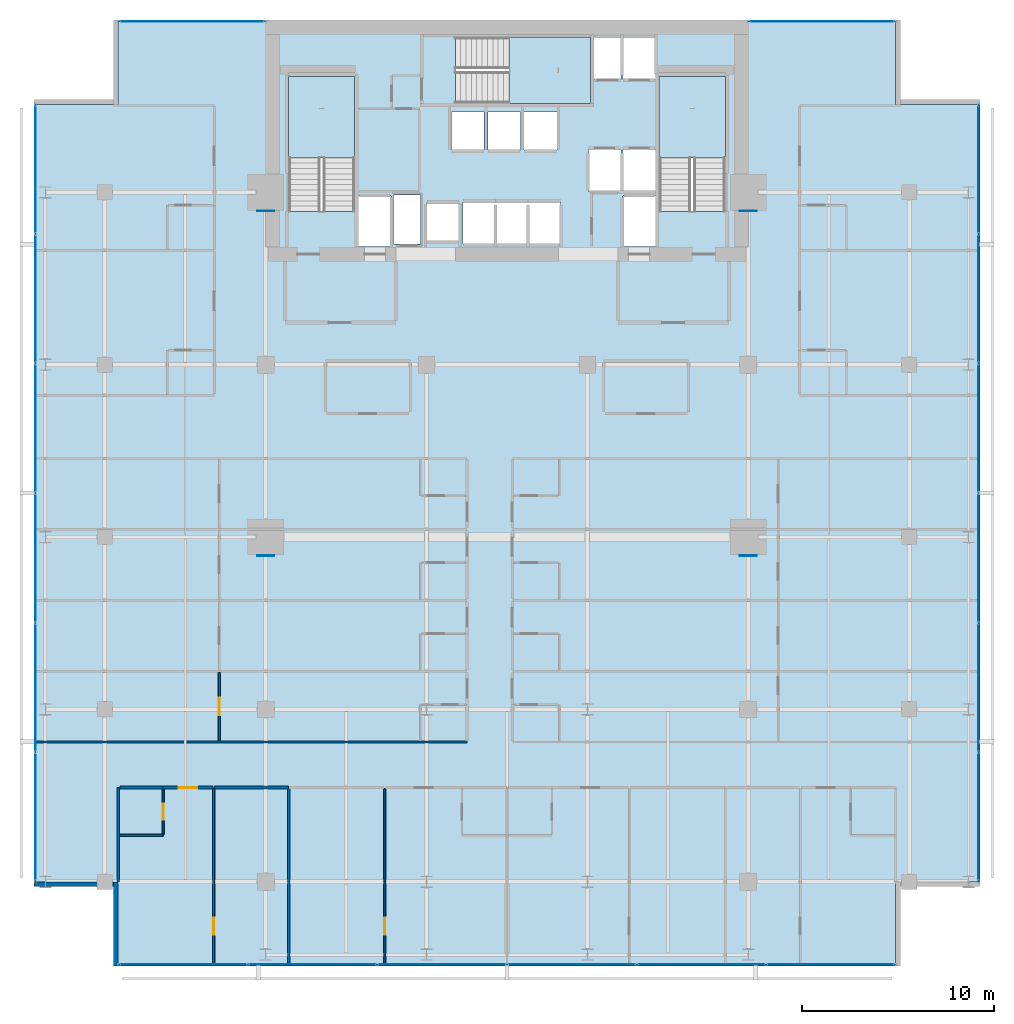
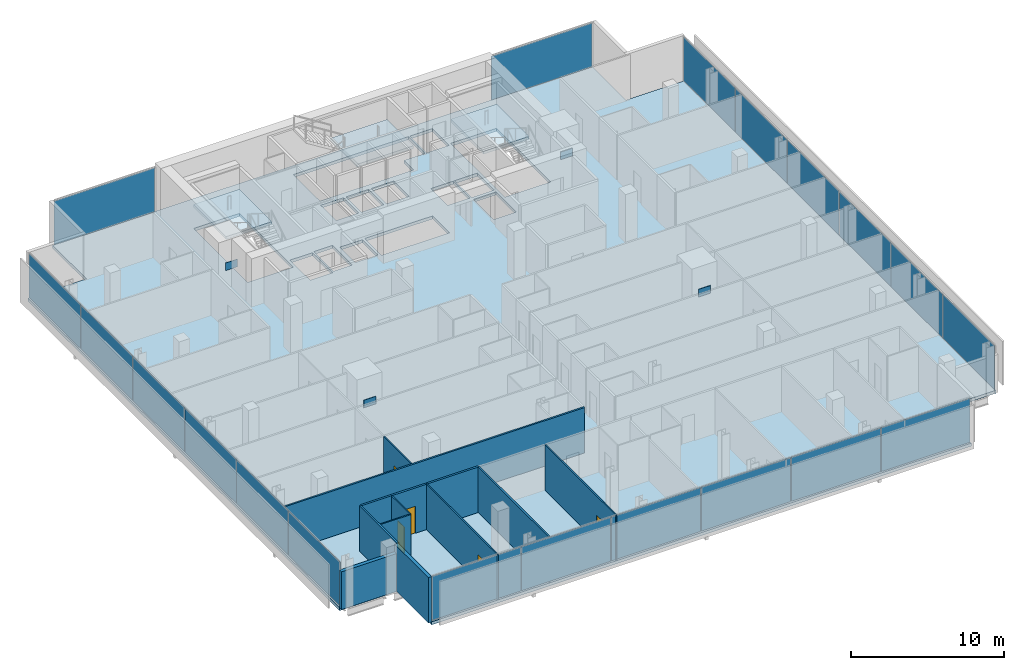
# One storey, part 26 of 34: 24 plates, 13 walls, 5 doors, 4 slabs, 5 openings, 8 elements without a shape of their own.
"""IFC4 building model written with IfcOpenShell, lengths in metres."""

from ifc_helpers import new_model, si_unit, direction, frame, frame_2d, origin, origin_2d, place, context, subcontext, project, spatial, polyline, rectangle, outline, extrude, material, layer, layer_set, type_object, element, fill, aggregate, save


model = new_model("IFC4")

# Units and contexts
model_context = context("Model", 3, precision=1e-05, world=origin(), true_north=direction((0.0, 1.0)))
body_context = subcontext(model_context, "Body", "Model", "MODEL_VIEW")
ifc_project = project(units=[si_unit("LENGTHUNIT", "METRE"), si_unit("AREAUNIT", "SQUARE_METRE"), si_unit("VOLUMEUNIT", "CUBIC_METRE"), si_unit("PLANEANGLEUNIT", "RADIAN"), si_unit("MASSUNIT", "GRAM", prefix="KILO")], contexts=[model_context])

# Site, building, storey
site_placement = place(None, origin())
site = spatial("IfcSite", under=ifc_project, at=site_placement, CompositionType="ELEMENT")
building_placement = place(site_placement, origin())
building = spatial("IfcBuilding", under=site, at=building_placement, Name="Maruvema Waterfront Hotel and Observation Tower", CompositionType="ELEMENT")
storey_placement = place(building_placement, frame((0.0, 0.0, 189.0)))
storey = spatial("IfcBuildingStorey", under=building, at=storey_placement, Name="L46", CompositionType="ELEMENT", Elevation=189.0)

# Slab
ifc_material_1 = material(Name="Concrete C50/60", Category="concrete")
ifc_layer_1 = layer(ifc_material_1, 0.239990234375, Name="Reinforced Concrete Floor Slab 240 mm")
ifc_layer_set_1 = layer_set([ifc_layer_1], Name="Concrete C50/60")
slab_type_1 = type_object("IfcSlabType", Name="Reinforced Concrete Floor Slab 240 mm", PredefinedType="FLOOR", material=ifc_layer_set_1)
slab_1_placement = place(storey_placement, frame((0.0, 0.0, -0.239990234375)))
element("IfcSlab", 1, at=slab_1_placement, inside=storey, type_object=slab_type_1, Name="L46 Structural Floor Slab", PredefinedType="FLOOR", context=body_context, shape_type="SweptSolid", body=[
    extrude(outline(polyline([(17.5, 4.60009765625), (58.10009765625, 4.60009765625), (58.10009765625, 9.0), (62.5, 9.0), (62.5, 49.60009765625), (58.10009765625, 49.60009765625), (58.10009765625, 54.0), (17.5, 54.0), (17.5, 49.60009765625), (13.10009765625, 49.60009765625), (13.10009765625, 9.0), (17.5, 9.0), (17.5, 4.60009765625)]), holes=[polyline([(26.39990234375, 44.00048828125), (26.39990234375, 51.050048828125), (29.85009765625, 51.050048828125), (29.85009765625, 44.00048828125), (26.39990234375, 44.00048828125)]), polyline([(30.050048828125, 44.800048828125), (31.75, 44.800048828125), (31.75, 42.169921875), (30.050048828125, 42.169921875), (30.050048828125, 44.800048828125)]), polyline([(31.8798828125, 44.860107421875), (33.280029296875, 44.860107421875), (33.280029296875, 42.2900390625), (31.8798828125, 42.2900390625), (31.8798828125, 44.860107421875)]), polyline([(33.60009765625, 44.449951171875), (35.300048828125, 44.449951171875), (35.300048828125, 42.449951171875), (33.60009765625, 42.449951171875), (33.60009765625, 44.449951171875)]), polyline([(34.89990234375, 49.199951171875), (36.60009765625, 49.199951171875), (36.60009765625, 47.199951171875), (34.89990234375, 47.199951171875), (34.89990234375, 49.199951171875)]), polyline([(36.800048828125, 49.199951171875), (38.5, 49.199951171875), (38.5, 47.199951171875), (36.800048828125, 47.199951171875), (36.800048828125, 49.199951171875)]), polyline([(35.5, 42.300048828125), (35.5, 44.5), (40.60009765625, 44.5), (40.60009765625, 42.300048828125), (35.5, 42.300048828125)]), polyline([(35.1005859375, 53.10009765625), (43.75, 53.10009765625), (43.75, 50.89990234375), (42.14990234375, 50.89990234375), (42.14990234375, 49.64990234375), (35.1005859375, 49.64990234375), (35.1005859375, 53.10009765625)]), polyline([(38.699951171875, 49.199951171875), (40.39990234375, 49.199951171875), (40.39990234375, 47.199951171875), (38.699951171875, 47.199951171875), (38.699951171875, 49.199951171875)]), polyline([(42.050048828125, 47.25), (43.75, 47.25), (43.75, 45.050048828125), (42.050048828125, 45.050048828125), (42.050048828125, 47.25)]), polyline([(43.85009765625, 44.800048828125), (45.550048828125, 44.800048828125), (45.550048828125, 42.169921875), (43.85009765625, 42.169921875), (43.85009765625, 44.800048828125)]), polyline([(43.85009765625, 47.25), (45.550048828125, 47.25), (45.550048828125, 45.050048828125), (43.85009765625, 45.050048828125), (43.85009765625, 47.25)]), polyline([(45.550048828125, 53.10009765625), (45.550048828125, 50.89990234375), (43.85009765625, 50.89990234375), (43.85009765625, 53.10009765625), (45.550048828125, 53.10009765625)]), polyline([(45.75, 44.00048828125), (45.75, 51.050048828125), (49.199951171875, 51.050048828125), (49.199951171875, 44.00048828125), (45.75, 44.00048828125)])]), origin(), (0.0, 0.0, 1.0), 0.239990234375),
])

# Curtain wall, plates
ifc_material_2 = material(Name="Anodised bronze aluminium and solar-control low-E IGU", Category="aluminium")
ifc_layer_2 = layer(ifc_material_2, 0.159912109375, Name="Zone 2 Amber Inner Thermal Curtain Wall System CW-03")
ifc_layer_set_2 = layer_set([ifc_layer_2], Name="Anodised bronze aluminium and solar-control low-E IGU")
curtain_wall_type = type_object("IfcCurtainWallType", Name="Zone 2 Amber Inner Thermal Curtain Wall System CW-03", PredefinedType="USERDEFINED", material=ifc_layer_set_2)
curtain_wall_1_placement = place(storey_placement, origin())
curtain_wall_1 = element("IfcCurtainWall", 2, at=curtain_wall_1_placement, inside=storey, type_object=curtain_wall_type, Name="L46 Curtain Wall CW-L46-S", ObjectType="UNITISED CURTAIN WALL", PredefinedType="USERDEFINED")
ifc_material_3 = material(Name="Laminated low-E solar-control double glazing", Category="glass")
ifc_layer_3 = layer(ifc_material_3, 0.035888671875, Name="Solar Control Double-Glazed Curtain Panel 36 mm")
ifc_layer_set_3 = layer_set([ifc_layer_3], Name="Laminated low-E solar-control double glazing")
plate_type_1 = type_object("IfcPlateType", Name="Solar Control Double-Glazed Curtain Panel 36 mm", PredefinedType="CURTAIN_PANEL", material=ifc_layer_set_3)
plate_1_placement = place(storey_placement, frame((20.8984375, 4.679931640625, 0.06005859375), z_axis=(0.0, 0.0, 1.0), x_axis=(1.0, 0.0, 0.0)))
plate_1 = element("IfcPlate", 3, at=plate_1_placement, type_object=plate_type_1, Name="CW-03 panel 1.1", PredefinedType="CURTAIN_PANEL", context=body_context, shape_type="SweptSolid", body=[
    extrude(rectangle(XDim=6.6767578125, YDim=0.028076171875, at=origin_2d()), origin(), (0.0, 0.0, 1.0), 3.489990234375),
])
plate_2_placement = place(storey_placement, frame((27.64990234375, 4.679931640625, 0.06005859375), z_axis=(0.0, 0.0, 1.0), x_axis=(1.0, 0.0, 0.0)))
plate_2 = element("IfcPlate", 4, at=plate_2_placement, type_object=plate_type_1, Name="CW-03 panel 2.1", PredefinedType="CURTAIN_PANEL", context=body_context, shape_type="SweptSolid", body=[
    extrude(rectangle(XDim=6.706787109375, YDim=0.028076171875, at=origin_2d()), origin(), (0.0, 0.0, 1.0), 3.489990234375),
])
plate_3_placement = place(storey_placement, frame((34.416748046875, 4.679931640625, 0.06005859375), z_axis=(0.0, 0.0, 1.0), x_axis=(1.0, 0.0, 0.0)))
plate_3 = element("IfcPlate", 5, at=plate_3_placement, type_object=plate_type_1, Name="CW-03 panel 3.1", PredefinedType="CURTAIN_PANEL", context=body_context, shape_type="SweptSolid", body=[
    extrude(rectangle(XDim=6.706787109375, YDim=0.028076171875, at=origin_2d()), origin(), (0.0, 0.0, 1.0), 3.489990234375),
])
plate_4_placement = place(storey_placement, frame((41.183349609375, 4.679931640625, 0.06005859375), z_axis=(0.0, 0.0, 1.0), x_axis=(1.0, 0.0, 0.0)))
plate_4 = element("IfcPlate", 6, at=plate_4_placement, type_object=plate_type_1, Name="CW-03 panel 4.1", PredefinedType="CURTAIN_PANEL", context=body_context, shape_type="SweptSolid", body=[
    extrude(rectangle(XDim=6.706787109375, YDim=0.028076171875, at=origin_2d()), origin(), (0.0, 0.0, 1.0), 3.489990234375),
])
plate_5_placement = place(storey_placement, frame((47.949951171875, 4.679931640625, 0.06005859375), z_axis=(0.0, 0.0, 1.0), x_axis=(1.0, 0.0, 0.0)))
plate_5 = element("IfcPlate", 7, at=plate_5_placement, type_object=plate_type_1, Name="CW-03 panel 5.1", PredefinedType="CURTAIN_PANEL", context=body_context, shape_type="SweptSolid", body=[
    extrude(rectangle(XDim=6.706787109375, YDim=0.028076171875, at=origin_2d()), origin(), (0.0, 0.0, 1.0), 3.489990234375),
])
plate_6_placement = place(storey_placement, frame((54.70166015625, 4.679931640625, 0.06005859375), z_axis=(0.0, 0.0, 1.0), x_axis=(1.0, 0.0, 0.0)))
plate_6 = element("IfcPlate", 8, at=plate_6_placement, type_object=plate_type_1, Name="CW-03 panel 6.1", PredefinedType="CURTAIN_PANEL", context=body_context, shape_type="SweptSolid", body=[
    extrude(rectangle(XDim=6.6767578125, YDim=0.028076171875, at=origin_2d()), origin(), (0.0, 0.0, 1.0), 3.489990234375),
])
aggregate(curtain_wall_1, [plate_1, plate_2, plate_3, plate_4, plate_5, plate_6])

curtain_wall_2_placement = place(storey_placement, origin())
curtain_wall_2 = element("IfcCurtainWall", 9, at=curtain_wall_2_placement, inside=storey, type_object=curtain_wall_type, Name="L46 Curtain Wall CW-L46-E", ObjectType="UNITISED CURTAIN WALL", PredefinedType="USERDEFINED")
plate_7_placement = place(storey_placement, frame((62.419921875, 12.3984375, 0.06005859375), z_axis=(0.0, 0.0, 1.0), x_axis=(0.0, 1.0, 0.0)))
plate_7 = element("IfcPlate", 10, at=plate_7_placement, type_object=plate_type_1, Name="CW-03 panel 1.1", PredefinedType="CURTAIN_PANEL", context=body_context, shape_type="SweptSolid", body=[
    extrude(rectangle(XDim=6.6767578125, YDim=0.028076171875, at=origin_2d()), origin(), (0.0, 0.0, 1.0), 3.489990234375),
])
plate_8_placement = place(storey_placement, frame((62.419921875, 19.14990234375, 0.06005859375), z_axis=(0.0, 0.0, 1.0), x_axis=(0.0, 1.0, 0.0)))
plate_8 = element("IfcPlate", 11, at=plate_8_placement, type_object=plate_type_1, Name="CW-03 panel 2.1", PredefinedType="CURTAIN_PANEL", context=body_context, shape_type="SweptSolid", body=[
    extrude(rectangle(XDim=6.706787109375, YDim=0.028076171875, at=origin_2d()), origin(), (0.0, 0.0, 1.0), 3.489990234375),
])
plate_9_placement = place(storey_placement, frame((62.419921875, 25.916748046875, 0.06005859375), z_axis=(0.0, 0.0, 1.0), x_axis=(0.0, 1.0, 0.0)))
plate_9 = element("IfcPlate", 12, at=plate_9_placement, type_object=plate_type_1, Name="CW-03 panel 3.1", PredefinedType="CURTAIN_PANEL", context=body_context, shape_type="SweptSolid", body=[
    extrude(rectangle(XDim=6.706787109375, YDim=0.028076171875, at=origin_2d()), origin(), (0.0, 0.0, 1.0), 3.489990234375),
])
plate_10_placement = place(storey_placement, frame((62.419921875, 32.683349609375, 0.06005859375), z_axis=(0.0, 0.0, 1.0), x_axis=(0.0, 1.0, 0.0)))
plate_10 = element("IfcPlate", 13, at=plate_10_placement, type_object=plate_type_1, Name="CW-03 panel 4.1", PredefinedType="CURTAIN_PANEL", context=body_context, shape_type="SweptSolid", body=[
    extrude(rectangle(XDim=6.706787109375, YDim=0.028076171875, at=origin_2d()), origin(), (0.0, 0.0, 1.0), 3.489990234375),
])
plate_11_placement = place(storey_placement, frame((62.419921875, 39.449951171875, 0.06005859375), z_axis=(0.0, 0.0, 1.0), x_axis=(0.0, 1.0, 0.0)))
plate_11 = element("IfcPlate", 14, at=plate_11_placement, type_object=plate_type_1, Name="CW-03 panel 5.1", PredefinedType="CURTAIN_PANEL", context=body_context, shape_type="SweptSolid", body=[
    extrude(rectangle(XDim=6.706787109375, YDim=0.028076171875, at=origin_2d()), origin(), (0.0, 0.0, 1.0), 3.489990234375),
])
plate_12_placement = place(storey_placement, frame((62.419921875, 46.20166015625, 0.06005859375), z_axis=(0.0, 0.0, 1.0), x_axis=(0.0, 1.0, 0.0)))
plate_12 = element("IfcPlate", 15, at=plate_12_placement, type_object=plate_type_1, Name="CW-03 panel 6.1", PredefinedType="CURTAIN_PANEL", context=body_context, shape_type="SweptSolid", body=[
    extrude(rectangle(XDim=6.6767578125, YDim=0.028076171875, at=origin_2d()), origin(), (0.0, 0.0, 1.0), 3.489990234375),
])
aggregate(curtain_wall_2, [plate_7, plate_8, plate_9, plate_10, plate_11, plate_12])

curtain_wall_3_placement = place(storey_placement, origin())
curtain_wall_3 = element("IfcCurtainWall", 16, at=curtain_wall_3_placement, inside=storey, type_object=curtain_wall_type, Name="L46 Curtain Wall CW-L46-W", ObjectType="UNITISED CURTAIN WALL", PredefinedType="USERDEFINED")
plate_13_placement = place(storey_placement, frame((13.179931640625, 46.20166015625, 0.06005859375), z_axis=(0.0, 0.0, 1.0), x_axis=(0.0, -1.0, 0.0)))
plate_13 = element("IfcPlate", 17, at=plate_13_placement, type_object=plate_type_1, Name="CW-03 panel 1.1", PredefinedType="CURTAIN_PANEL", context=body_context, shape_type="SweptSolid", body=[
    extrude(rectangle(XDim=6.6767578125, YDim=0.028076171875, at=origin_2d()), origin(), (0.0, 0.0, 1.0), 3.489990234375),
])
plate_14_placement = place(storey_placement, frame((13.179931640625, 39.449951171875, 0.06005859375), z_axis=(0.0, 0.0, 1.0), x_axis=(0.0, -1.0, 0.0)))
plate_14 = element("IfcPlate", 18, at=plate_14_placement, type_object=plate_type_1, Name="CW-03 panel 2.1", PredefinedType="CURTAIN_PANEL", context=body_context, shape_type="SweptSolid", body=[
    extrude(rectangle(XDim=6.706787109375, YDim=0.028076171875, at=origin_2d()), origin(), (0.0, 0.0, 1.0), 3.489990234375),
])
plate_15_placement = place(storey_placement, frame((13.179931640625, 32.683349609375, 0.06005859375), z_axis=(0.0, 0.0, 1.0), x_axis=(0.0, -1.0, 0.0)))
plate_15 = element("IfcPlate", 19, at=plate_15_placement, type_object=plate_type_1, Name="CW-03 panel 3.1", PredefinedType="CURTAIN_PANEL", context=body_context, shape_type="SweptSolid", body=[
    extrude(rectangle(XDim=6.706787109375, YDim=0.028076171875, at=origin_2d()), origin(), (0.0, 0.0, 1.0), 3.489990234375),
])
plate_16_placement = place(storey_placement, frame((13.179931640625, 25.916748046875, 0.06005859375), z_axis=(0.0, 0.0, 1.0), x_axis=(0.0, -1.0, 0.0)))
plate_16 = element("IfcPlate", 20, at=plate_16_placement, type_object=plate_type_1, Name="CW-03 panel 4.1", PredefinedType="CURTAIN_PANEL", context=body_context, shape_type="SweptSolid", body=[
    extrude(rectangle(XDim=6.706787109375, YDim=0.028076171875, at=origin_2d()), origin(), (0.0, 0.0, 1.0), 3.489990234375),
])
plate_17_placement = place(storey_placement, frame((13.179931640625, 19.14990234375, 0.06005859375), z_axis=(0.0, 0.0, 1.0), x_axis=(0.0, -1.0, 0.0)))
plate_17 = element("IfcPlate", 21, at=plate_17_placement, type_object=plate_type_1, Name="CW-03 panel 5.1", PredefinedType="CURTAIN_PANEL", context=body_context, shape_type="SweptSolid", body=[
    extrude(rectangle(XDim=6.706787109375, YDim=0.028076171875, at=origin_2d()), origin(), (0.0, 0.0, 1.0), 3.489990234375),
])
plate_18_placement = place(storey_placement, frame((13.179931640625, 12.3984375, 0.06005859375), z_axis=(0.0, 0.0, 1.0), x_axis=(0.0, -1.0, 0.0)))
plate_18 = element("IfcPlate", 22, at=plate_18_placement, type_object=plate_type_1, Name="CW-03 panel 6.1", PredefinedType="CURTAIN_PANEL", context=body_context, shape_type="SweptSolid", body=[
    extrude(rectangle(XDim=6.6767578125, YDim=0.028076171875, at=origin_2d()), origin(), (0.0, 0.0, 1.0), 3.489990234375),
])
aggregate(curtain_wall_3, [plate_13, plate_14, plate_15, plate_16, plate_17, plate_18])

# Curtain wall, plate
curtain_wall_4_placement = place(storey_placement, origin())
curtain_wall_4 = element("IfcCurtainWall", 23, at=curtain_wall_4_placement, inside=storey, type_object=curtain_wall_type, Name="L46 Curtain Wall CW-L46-NW", ObjectType="UNITISED CURTAIN WALL", PredefinedType="USERDEFINED")
plate_19_placement = place(storey_placement, frame((21.35009765625, 53.919921875, 0.06005859375), z_axis=(0.0, 0.0, 1.0), x_axis=(-1.0, 0.0, 0.0)))
plate_19 = element("IfcPlate", 24, at=plate_19_placement, type_object=plate_type_1, Name="CW-03 panel 1.1", PredefinedType="CURTAIN_PANEL", context=body_context, shape_type="SweptSolid", body=[
    extrude(rectangle(XDim=7.580078125, YDim=0.028076171875, at=origin_2d()), origin(), (0.0, 0.0, 1.0), 3.489990234375),
])
aggregate(curtain_wall_4, [plate_19])

curtain_wall_5_placement = place(storey_placement, origin())
curtain_wall_5 = element("IfcCurtainWall", 25, at=curtain_wall_5_placement, inside=storey, type_object=curtain_wall_type, Name="L46 Curtain Wall CW-L46-NE", ObjectType="UNITISED CURTAIN WALL", PredefinedType="USERDEFINED")
plate_20_placement = place(storey_placement, frame((54.25, 53.919921875, 0.06005859375), z_axis=(0.0, 0.0, 1.0), x_axis=(-1.0, 0.0, 0.0)))
plate_20 = element("IfcPlate", 26, at=plate_20_placement, type_object=plate_type_1, Name="CW-03 panel 1.1", PredefinedType="CURTAIN_PANEL", context=body_context, shape_type="SweptSolid", body=[
    extrude(rectangle(XDim=7.580078125, YDim=0.028076171875, at=origin_2d()), origin(), (0.0, 0.0, 1.0), 3.489990234375),
])
aggregate(curtain_wall_5, [plate_20])

# Stair, slab
ifc_material_4 = material(Name="Concrete C50/60", Category="concrete")
stair_type = type_object("IfcStairType", Name="Dogleg Exit Stair 1650 mm (22R x 175.0 mm)", PredefinedType="HALF_TURN_STAIR", material=ifc_material_4)
stair_1_placement = place(storey_placement, origin())
stair_1 = element("IfcStair", 27, at=stair_1_placement, inside=storey, type_object=stair_type, Name="L46 ST-01", PredefinedType="HALF_TURN_STAIR")
ifc_material_5 = material(Name="Concrete C50/60", Category="concrete")
ifc_layer_4 = layer(ifc_material_5, 0.219970703125, Name="Stair Concrete Landing Slab 220 mm")
ifc_layer_set_4 = layer_set([ifc_layer_4], Name="Concrete C50/60")
slab_type_2 = type_object("IfcSlabType", Name="Stair Concrete Landing Slab 220 mm", PredefinedType="LANDING", material=ifc_layer_set_4)
slab_2_placement = place(storey_placement, frame((0.0, 0.0, 1.705078125)))
slab_2 = element("IfcSlab", 28, at=slab_2_placement, type_object=slab_type_2, Name="ST-01 landing 1", PredefinedType="LANDING", context=body_context, shape_type="SweptSolid", body=[
    extrude(outline(polyline([(29.85009765625, 46.800048828125), (29.85009765625, 51.050048828125), (26.39990234375, 51.050048828125), (26.39990234375, 46.800048828125), (29.85009765625, 46.800048828125)])), origin(), (0.0, 0.0, 1.0), 0.219970703125),
])
aggregate(stair_1, [slab_2])

stair_2_placement = place(storey_placement, origin())
stair_2 = element("IfcStair", 29, at=stair_2_placement, inside=storey, type_object=stair_type, Name="L46 ST-02", PredefinedType="HALF_TURN_STAIR")
slab_3_placement = place(storey_placement, frame((0.0, 0.0, 1.705078125)))
slab_3 = element("IfcSlab", 30, at=slab_3_placement, type_object=slab_type_2, Name="ST-02 landing 1", PredefinedType="LANDING", context=body_context, shape_type="SweptSolid", body=[
    extrude(outline(polyline([(37.89990234375, 49.64990234375), (42.14990234375, 49.64990234375), (42.14990234375, 53.10009765625), (37.89990234375, 53.10009765625), (37.89990234375, 49.64990234375)])), origin(), (0.0, 0.0, 1.0), 0.219970703125),
])
aggregate(stair_2, [slab_3])

stair_3_placement = place(storey_placement, origin())
stair_3 = element("IfcStair", 31, at=stair_3_placement, inside=storey, type_object=stair_type, Name="L46 ST-03", PredefinedType="HALF_TURN_STAIR")
slab_4_placement = place(storey_placement, frame((0.0, 0.0, 1.705078125)))
slab_4 = element("IfcSlab", 32, at=slab_4_placement, type_object=slab_type_2, Name="ST-03 landing 1", PredefinedType="LANDING", context=body_context, shape_type="SweptSolid", body=[
    extrude(outline(polyline([(49.199951171875, 46.800048828125), (49.199951171875, 51.050048828125), (45.75, 51.050048828125), (45.75, 46.800048828125), (49.199951171875, 46.800048828125)])), origin(), (0.0, 0.0, 1.0), 0.219970703125),
])
aggregate(stair_3, [slab_4])

# Plates
ifc_material_6 = material(Name="Steel ABNT NBR 7007 AR 415 (ASTM A572 Grade 50)", Category="steel")
ifc_layer_5 = layer(ifc_material_6, 0.0400390625, Name="Structural Truss Node Gusset Plate 40 mm")
ifc_layer_set_5 = layer_set([ifc_layer_5], Name="Steel ABNT NBR 7007 AR 415 (ASTM A572 Grade 50)")
plate_type_2 = type_object("IfcPlateType", Name="Structural Truss Node Gusset Plate 40 mm", PredefinedType="USERDEFINED", material=ifc_layer_set_5)
for number, where, z_axis, x_axis, name in (
    (33, (25.199951171875, 26.030029296875, 1.5), (0.0, 0.0, 1.0), (1.0, 0.0, 0.0), "L46 MC-01 Moment Frame Continuity Gusset Plate"),
    (34, (50.39990234375, 26.030029296875, 1.5), (0.0, 0.0, 1.0), (1.0, 0.0, 0.0), "L46 MC-02 Moment Frame Continuity Gusset Plate"),
    (35, (25.199951171875, 44.030029296875, 1.5), (0.0, 0.0, 1.0), (1.0, 0.0, 0.0), "L46 MC-03 Moment Frame Continuity Gusset Plate"),
    (36, (50.39990234375, 44.030029296875, 1.5), (0.0, 0.0, 1.0), (1.0, 0.0, 0.0), "L46 MC-04 Moment Frame Continuity Gusset Plate"),
):
    element("IfcPlate", number, at=place(storey_placement, frame(where, z_axis=z_axis, x_axis=x_axis)), inside=storey, type_object=plate_type_2, Name=name, ObjectType="GUSSET_PLATE", PredefinedType="USERDEFINED", context=body_context, shape_type="SweptSolid", body=[
        extrude(rectangle(XDim=0.89990234375, YDim=0.0400390625, at=origin_2d()), origin(), (0.0, 0.0, 1.0), 0.60009765625),
    ])

# Wall
ifc_material_7 = material(Name="Twin-stud acoustic gypsum drywall", Category="gypsum")
ifc_layer_6 = layer(ifc_material_7, 0.14990234375, Name="Acoustic Corridor and Suite Demising Wall 150 mm")
ifc_layer_set_6 = layer_set([ifc_layer_6], Name="Twin-stud acoustic gypsum drywall")
wall_type_1 = type_object("IfcWallType", Name="Acoustic Corridor and Suite Demising Wall 150 mm", PredefinedType="PARTITIONING", material=ifc_layer_set_6)
wall_1_placement = place(storey_placement, frame((17.580078125, 13.919921875, 0.0), z_axis=(0.0, 0.0, 1.0), x_axis=(1.0, 0.0, 0.0)))
element("IfcWall", 37, at=wall_1_placement, inside=storey, type_object=wall_type_1, Name="L46 Bath L46-S1 Back Wall 027", PredefinedType="PARTITIONING", context=body_context, shape_type="SweptSolid", body=[
    extrude(rectangle(XDim=2.27001953125, YDim=0.14990234375, at=frame_2d((1.135009765625, 0.0))), origin(), (0.0, 0.0, 1.0), 3.610107421875),
])

# Wall, opening, door
wall_2_placement = place(storey_placement, frame((19.85009765625, 13.919921875, 0.0), z_axis=(0.0, 0.0, 1.0), x_axis=(1.0, 0.0, 0.0)))
wall_2 = element("IfcWall", 38, at=wall_2_placement, inside=storey, type_object=wall_type_1, Name="L46 Unit L46-S1 Corridor Wall 030", PredefinedType="PARTITIONING", context=body_context, shape_type="SweptSolid", body=[
    extrude(rectangle(XDim=2.593994140625, YDim=0.14990234375, at=frame_2d((1.296875, 0.0))), origin(), (0.0, 0.0, 1.0), 3.610107421875),
])
opening_1_placement = place(wall_2_placement, frame((0.822021484375, 0.0, 0.0)))
opening_1 = element("IfcOpeningElement", 39, at=opening_1_placement, cuts=wall_2, Name="Opening DR-095", PredefinedType="OPENING", context=body_context, shape_type="SweptSolid", body=[
    extrude(rectangle(XDim=0.949951171875, YDim=2.14990234375, at=frame_2d((0.47509765625, 1.074951171875))), frame((0.0, 0.0849609375, 0.0), z_axis=(0.0, -1.0, 0.0), x_axis=(1.0, 0.0, 0.0)), (0.0, 0.0, 1.0), 0.169921875),
])
ifc_material_8 = material(Name="Acoustic solid-core hardwood timber leaf", Category="wood")
door_type_1 = type_object("IfcDoorType", Name="Guestroom Entrance Fire Door 950x2150 mm", OperationType="NOTDEFINED", PredefinedType="DOOR", material=ifc_material_8)
door_1_placement = place(opening_1_placement, frame((0.949951171875, 0.0, 0.0), z_axis=(0.0, 0.0, 1.0), x_axis=(-1.0, 0.0, 0.0)))
door_1 = element("IfcDoor", 40, at=door_1_placement, inside=storey, type_object=door_type_1, Name="L46 Unit L46-S1 Entrance Door", OperationType="SINGLE_SWING_RIGHT", OverallHeight=2.14990234375, OverallWidth=0.949951171875, PredefinedType="DOOR", context=body_context, shape_type="SweptSolid", body=[
    extrude(rectangle(XDim=0.949951171875, YDim=2.14990234375, at=frame_2d((0.47509765625, 1.074951171875))), frame((0.0, 0.02490234375, 0.0), z_axis=(0.0, -1.0, 0.0), x_axis=(1.0, 0.0, 0.0)), (0.0, 0.0, 1.0), 0.050048828125),
])
fill(opening_1, door_1)

# Walls
wall_3_placement = place(storey_placement, frame((22.52392578125, 13.919921875, 0.0), z_axis=(0.0, 0.0, 1.0), x_axis=(1.0, 0.0, 0.0)))
element("IfcWall", 41, at=wall_3_placement, inside=storey, type_object=wall_type_1, Name="L46 Bedroom L46-S1 Back Wall 031", PredefinedType="PARTITIONING", context=body_context, shape_type="SweptSolid", body=[
    extrude(rectangle(XDim=3.85595703125, YDim=0.14990234375, at=frame_2d((1.927978515625, 0.0))), origin(), (0.0, 0.0, 1.0), 3.610107421875),
])
ifc_material_9 = material(Name="Moisture-resistant cement-board drywall", Category="gypsum")
ifc_layer_7 = layer(ifc_material_9, 0.10009765625, Name="En-Suite Moisture-Resistant Partition 100 mm")
ifc_layer_set_7 = layer_set([ifc_layer_7], Name="Moisture-resistant cement-board drywall")
wall_type_2 = type_object("IfcWallType", Name="En-Suite Moisture-Resistant Partition 100 mm", PredefinedType="PARTITIONING", material=ifc_layer_set_7)
wall_4_placement = place(storey_placement, frame((17.580078125, 11.419921875, 0.0), z_axis=(0.0, 0.0, 1.0), x_axis=(1.0, 0.0, 0.0)))
element("IfcWall", 42, at=wall_4_placement, inside=storey, type_object=wall_type_2, Name="L46 En-Suite L46-S1 South 028", PredefinedType="PARTITIONING", context=body_context, shape_type="SweptSolid", body=[
    extrude(rectangle(XDim=2.27001953125, YDim=0.10009765625, at=frame_2d((1.135009765625, 0.0))), origin(), (0.0, 0.0, 1.0), 3.610107421875),
])

# Wall, opening, door
wall_5_placement = place(storey_placement, frame((19.85009765625, 11.47998046875, 0.0), z_axis=(0.0, 0.0, 1.0), x_axis=(0.0, 1.0, 0.0)))
wall_5 = element("IfcWall", 43, at=wall_5_placement, inside=storey, type_object=wall_type_2, Name="L46 En-Suite L46-S1 East 029", PredefinedType="PARTITIONING", context=body_context, shape_type="SweptSolid", body=[
    extrude(rectangle(XDim=2.340087890625, YDim=0.10009765625, at=frame_2d((1.169921875, 0.0))), origin(), (0.0, 0.0, 1.0), 3.610107421875),
])
opening_2_placement = place(wall_5_placement, frame((0.7451171875, 0.0, 0.0)))
opening_2 = element("IfcOpeningElement", 44, at=opening_2_placement, cuts=wall_5, Name="Opening DR-085", PredefinedType="OPENING", context=body_context, shape_type="SweptSolid", body=[
    extrude(rectangle(XDim=0.85009765625, YDim=2.10009765625, at=frame_2d((0.425048828125, 1.050048828125))), frame((0.0, 0.06005859375, 0.0), z_axis=(0.0, -1.0, 0.0), x_axis=(1.0, 0.0, 0.0)), (0.0, 0.0, 1.0), 0.1201171875),
])
ifc_material_10 = material(Name="Moisture-resistant solid timber leaf", Category="wood")
door_type_2 = type_object("IfcDoorType", Name="En-Suite Bathroom Door 850x2100 mm", OperationType="NOTDEFINED", PredefinedType="DOOR", material=ifc_material_10)
door_2_placement = place(opening_2_placement, frame((0.85009765625, 0.0, 0.0), z_axis=(0.0, 0.0, 1.0), x_axis=(-1.0, 0.0, 0.0)))
door_2 = element("IfcDoor", 45, at=door_2_placement, inside=storey, type_object=door_type_2, Name="L46 En-Suite L46-S1 Door", OperationType="SINGLE_SWING_LEFT", OverallHeight=2.10009765625, OverallWidth=0.85009765625, PredefinedType="DOOR", context=body_context, shape_type="SweptSolid", body=[
    extrude(rectangle(XDim=0.85009765625, YDim=2.10009765625, at=frame_2d((0.425048828125, 1.050048828125))), frame((0.0, 0.02490234375, 0.0), z_axis=(0.0, -1.0, 0.0), x_axis=(1.0, 0.0, 0.0)), (0.0, 0.0, 1.0), 0.050048828125),
])
fill(opening_2, door_2)

wall_6_placement = place(storey_placement, frame((22.48388671875, 4.6298828125, 0.0), z_axis=(0.0, 0.0, 1.0), x_axis=(0.0, 1.0, 0.0)))
wall_6 = element("IfcWall", 46, at=wall_6_placement, inside=storey, type_object=wall_type_2, Name="L46 Suite L46-S1 Split 032", PredefinedType="PARTITIONING", context=body_context, shape_type="SweptSolid", body=[
    extrude(rectangle(XDim=9.230224609375, YDim=0.10009765625, at=frame_2d((4.615234375, 0.0))), origin(), (0.0, 0.0, 1.0), 3.610107421875),
])
opening_3_placement = place(wall_6_placement, frame((1.60009765625, 0.0, 0.0)))
opening_3 = element("IfcOpeningElement", 47, at=opening_3_placement, cuts=wall_6, Name="Opening DR-090", PredefinedType="OPENING", context=body_context, shape_type="SweptSolid", body=[
    extrude(rectangle(XDim=0.89990234375, YDim=2.10009765625, at=frame_2d((0.449951171875, 1.050048828125))), frame((0.0, 0.06005859375, 0.0), z_axis=(0.0, -1.0, 0.0), x_axis=(1.0, 0.0, 0.0)), (0.0, 0.0, 1.0), 0.1201171875),
])
ifc_material_11 = material(Name="Solid-core lacquered timber leaf", Category="wood")
door_type_3 = type_object("IfcDoorType", Name="Accessible Toilet and Room Door 900x2100 mm", OperationType="NOTDEFINED", PredefinedType="DOOR", material=ifc_material_11)
door_3_placement = place(opening_3_placement, origin())
door_3 = element("IfcDoor", 48, at=door_3_placement, inside=storey, type_object=door_type_3, Name="L46 Suite L46-S1 Bedroom Door", OperationType="SINGLE_SWING_LEFT", OverallHeight=2.10009765625, OverallWidth=0.89990234375, PredefinedType="DOOR", context=body_context, shape_type="SweptSolid", body=[
    extrude(rectangle(XDim=0.89990234375, YDim=2.10009765625, at=frame_2d((0.449951171875, 1.050048828125))), frame((0.0, 0.02490234375, 0.0), z_axis=(0.0, -1.0, 0.0), x_axis=(1.0, 0.0, 0.0)), (0.0, 0.0, 1.0), 0.050048828125),
])
fill(opening_3, door_3)

wall_7_placement = place(storey_placement, frame((31.416015625, 4.6298828125, 0.0), z_axis=(0.0, 0.0, 1.0), x_axis=(0.0, 1.0, 0.0)))
wall_7 = element("IfcWall", 49, at=wall_7_placement, inside=storey, type_object=wall_type_2, Name="L46 Suite L46-S2 Split 039", PredefinedType="PARTITIONING", context=body_context, shape_type="SweptSolid", body=[
    extrude(rectangle(XDim=9.230224609375, YDim=0.10009765625, at=frame_2d((4.615234375, 0.0))), origin(), (0.0, 0.0, 1.0), 3.610107421875),
])
opening_4_placement = place(wall_7_placement, frame((1.60009765625, 0.0, 0.0)))
opening_4 = element("IfcOpeningElement", 50, at=opening_4_placement, cuts=wall_7, Name="Opening DR-090", PredefinedType="OPENING", context=body_context, shape_type="SweptSolid", body=[
    extrude(rectangle(XDim=0.89990234375, YDim=2.10009765625, at=frame_2d((0.449951171875, 1.050048828125))), frame((0.0, 0.06005859375, 0.0), z_axis=(0.0, -1.0, 0.0), x_axis=(1.0, 0.0, 0.0)), (0.0, 0.0, 1.0), 0.1201171875),
])
door_4_placement = place(opening_4_placement, frame((0.89990234375, 0.0, 0.0), z_axis=(0.0, 0.0, 1.0), x_axis=(-1.0, 0.0, 0.0)))
door_4 = element("IfcDoor", 51, at=door_4_placement, inside=storey, type_object=door_type_3, Name="L46 Suite L46-S2 Bedroom Door", OperationType="SINGLE_SWING_RIGHT", OverallHeight=2.10009765625, OverallWidth=0.89990234375, PredefinedType="DOOR", context=body_context, shape_type="SweptSolid", body=[
    extrude(rectangle(XDim=0.89990234375, YDim=2.10009765625, at=frame_2d((0.449951171875, 1.050048828125))), frame((0.0, 0.02490234375, 0.0), z_axis=(0.0, -1.0, 0.0), x_axis=(1.0, 0.0, 0.0)), (0.0, 0.0, 1.0), 0.050048828125),
])
fill(opening_4, door_4)

wall_8_placement = place(storey_placement, frame((22.781494140625, 16.360107421875, 0.0), z_axis=(0.0, 0.0, 1.0), x_axis=(0.0, 1.0, 0.0)))
wall_8 = element("IfcWall", 52, at=wall_8_placement, inside=storey, type_object=wall_type_2, Name="L46 Suite L46-W1 Split 062", PredefinedType="PARTITIONING", context=body_context, shape_type="SweptSolid", body=[
    extrude(rectangle(XDim=3.579833984375, YDim=0.10009765625, at=frame_2d((1.7900390625, 0.0))), origin(), (0.0, 0.0, 1.0), 3.610107421875),
])
opening_5_placement = place(wall_8_placement, frame((1.340087890625, 0.0, 0.0)))
opening_5 = element("IfcOpeningElement", 53, at=opening_5_placement, cuts=wall_8, Name="Opening DR-090", PredefinedType="OPENING", context=body_context, shape_type="SweptSolid", body=[
    extrude(rectangle(XDim=0.89990234375, YDim=2.10009765625, at=frame_2d((0.449951171875, 1.050048828125))), frame((0.0, 0.06005859375, 0.0), z_axis=(0.0, -1.0, 0.0), x_axis=(1.0, 0.0, 0.0)), (0.0, 0.0, 1.0), 0.1201171875),
])
door_5_placement = place(opening_5_placement, origin())
door_5 = element("IfcDoor", 54, at=door_5_placement, inside=storey, type_object=door_type_3, Name="L46 Suite L46-W1 Bedroom Door", OperationType="SINGLE_SWING_LEFT", OverallHeight=2.10009765625, OverallWidth=0.89990234375, PredefinedType="DOOR", context=body_context, shape_type="SweptSolid", body=[
    extrude(rectangle(XDim=0.89990234375, YDim=2.10009765625, at=frame_2d((0.449951171875, 1.050048828125))), frame((0.0, 0.02490234375, 0.0), z_axis=(0.0, -1.0, 0.0), x_axis=(1.0, 0.0, 0.0)), (0.0, 0.0, 1.0), 0.050048828125),
])
fill(opening_5, door_5)

# Walls
ifc_material_12 = material(Name="Precast concrete C45/55 with honed Pernambuco granite facing", Category="masonry")
ifc_layer_8 = layer(ifc_material_12, 0.260009765625, Name="Exterior Granite Clad Spandrel and Pier Wall 260 mm")
ifc_layer_set_8 = layer_set([ifc_layer_8], Name="Precast concrete C45/55 with honed Pernambuco granite facing")
wall_type_3 = type_object("IfcWallType", Name="Exterior Granite Clad Spandrel and Pier Wall 260 mm", PredefinedType="SOLIDWALL", material=ifc_layer_set_8)
wall_9_placement = place(storey_placement, frame((17.3701171875, 4.60009765625, 0.0), z_axis=(0.0, 0.0, 1.0), x_axis=(0.0, 1.0, 0.0)))
element("IfcWall", 55, at=wall_9_placement, inside=storey, type_object=wall_type_3, Name="L46 Corner Notch Granite Pier Wall SW1", PredefinedType="SOLIDWALL", context=body_context, shape_type="SweptSolid", body=[
    extrude(rectangle(XDim=4.39990234375, YDim=0.260009765625, at=frame_2d((2.199951171875, 0.0))), origin(), (0.0, 0.0, 1.0), 3.610107421875),
])
wall_10_placement = place(storey_placement, frame((17.5, 8.8701171875, 0.0), z_axis=(0.0, 0.0, 1.0), x_axis=(-1.0, 0.0, 0.0)))
element("IfcWall", 56, at=wall_10_placement, inside=storey, type_object=wall_type_3, Name="L46 Corner Notch Granite Pier Wall SW2", PredefinedType="SOLIDWALL", context=body_context, shape_type="SweptSolid", body=[
    extrude(rectangle(XDim=4.39990234375, YDim=0.260009765625, at=frame_2d((2.199951171875, 0.0))), origin(), (0.0, 0.0, 1.0), 3.007080078125),
])
ifc_material_13 = material(Name="Acoustic gypsum plasterboard drywall", Category="gypsum")
ifc_layer_9 = layer(ifc_material_13, 0.125, Name="Guestroom Acoustic Demising Wall 125 mm")
ifc_layer_set_9 = layer_set([ifc_layer_9], Name="Acoustic gypsum plasterboard drywall")
wall_type_4 = type_object("IfcWallType", Name="Guestroom Acoustic Demising Wall 125 mm", PredefinedType="PARTITIONING", material=ifc_layer_set_9)
wall_11_placement = place(storey_placement, frame((17.5, 9.0, 0.0), z_axis=(0.0, 0.0, 1.0), x_axis=(0.0, 1.0, 0.0)))
element("IfcWall", 57, at=wall_11_placement, inside=storey, type_object=wall_type_4, Name="L46 Z2 S West End 025", PredefinedType="PARTITIONING", context=body_context, shape_type="SweptSolid", body=[
    extrude(rectangle(XDim=4.919921875, YDim=0.125, at=frame_2d((2.4599609375, 0.0))), origin(), (0.0, 0.0, 1.0), 3.610107421875),
])
wall_12_placement = place(storey_placement, frame((26.39990234375, 4.699951171875, 0.0), z_axis=(0.0, 0.0, 1.0), x_axis=(0.0, 1.0, 0.0)))
element("IfcWall", 58, at=wall_12_placement, inside=storey, type_object=wall_type_4, Name="L46 Z2 S Demising 2 033", PredefinedType="PARTITIONING", context=body_context, shape_type="SweptSolid", body=[
    extrude(rectangle(XDim=9.219970703125, YDim=0.125, at=frame_2d((4.60986328125, 0.0))), origin(), (0.0, 0.0, 1.0), 3.610107421875),
])
wall_13_placement = place(storey_placement, frame((13.199951171875, 16.300048828125, 0.0), z_axis=(0.0, 0.0, 1.0), x_axis=(1.0, 0.0, 0.0)))
element("IfcWall", 59, at=wall_13_placement, inside=storey, type_object=wall_type_4, Name="L46 Z2 W Bot End 054", PredefinedType="PARTITIONING", context=body_context, shape_type="SweptSolid", body=[
    extrude(rectangle(XDim=22.52001953125, YDim=0.125, at=frame_2d((11.260009765625, 0.0))), origin(), (0.0, 0.0, 1.0), 3.610107421875),
])

save(model, "model.ifc")
